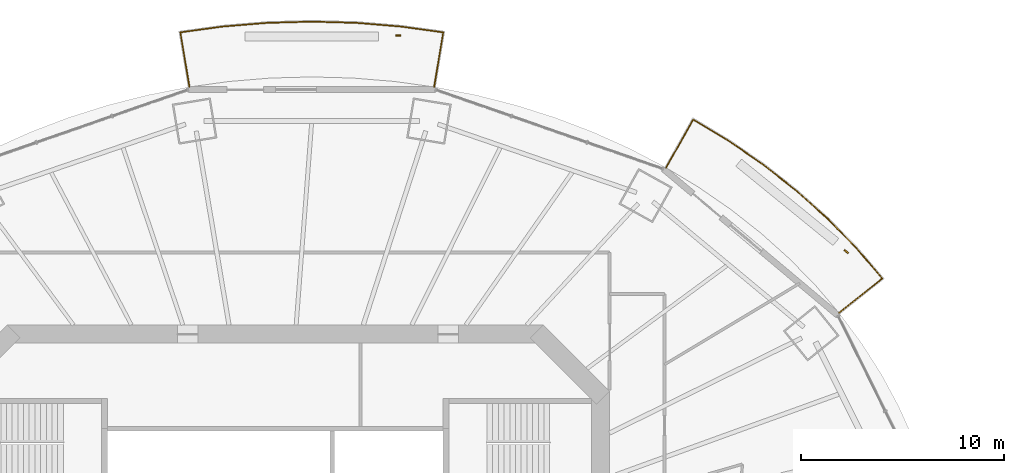
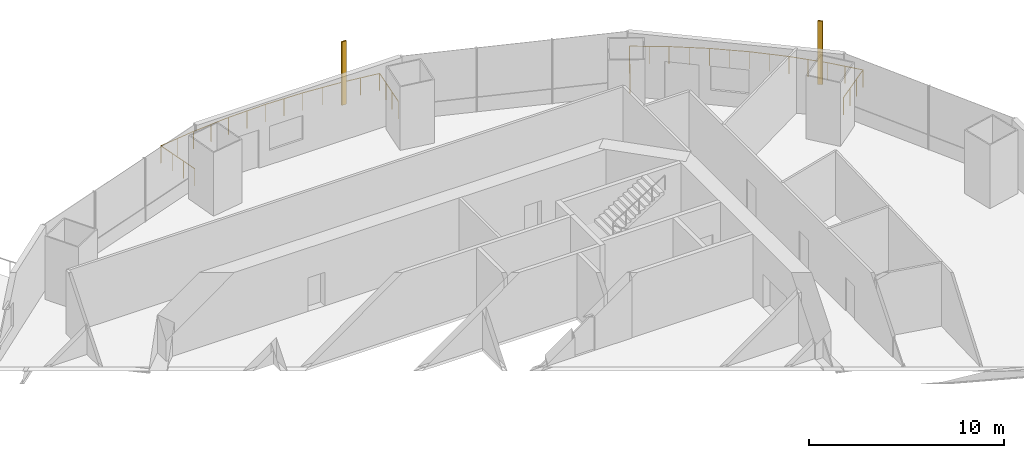
# One storey, part 18 of 20: 2 railings, 2 shading devices.
"""IFC4 building model written with IfcOpenShell, lengths in metres."""

import ifcopenshell
import ifcopenshell.guid

model = None  # the IFC model being written
_history = None  # IfcOwnerHistory: only IFC2X3 demands one
_inside = {}  # id of a spatial element -> (the spatial element, [elements in it])
_under = {}  # id of a project, library or spatial element -> (it, [spatial elements below it])
_declared = {}  # id of a project -> (the project, [libraries it declares])
_typed = {}  # id of a type object -> (the type object, [elements of that type])
_made_of = {}  # id of a material, layer set ... -> (it, [elements and type objects made of it])


def new_model(schema):
    """Start an empty IFC model of exactly this schema.

    Asked for "IFC4X3", IfcOpenShell would pick the latest addendum, in which some entities
    have other attributes; the version numbers below select the first issue.
    IFC2X3 requires an IfcOwnerHistory on every rooted entity: one is made here for all.
    """
    global model, _history
    if schema == "IFC4X3":
        model = ifcopenshell.file(schema_version=(4, 3, 0, 0))
    else:
        model = ifcopenshell.file(schema=schema)
    _inside.clear()
    _under.clear()
    _declared.clear()
    _typed.clear()
    _made_of.clear()
    _history = None
    if model.schema == "IFC2X3":
        org = make("IfcOrganization", Name="unknown")
        user = make(
            "IfcPersonAndOrganization",
            ThePerson=make("IfcPerson", FamilyName="unknown"),
            TheOrganization=org,
        )
        app = make(
            "IfcApplication",
            ApplicationDeveloper=org,
            Version="unknown",
            ApplicationFullName="unknown",
            ApplicationIdentifier="unknown",
        )
        _history = make(
            "IfcOwnerHistory",
            OwningUser=user,
            OwningApplication=app,
            ChangeAction="ADDED",
            CreationDate=0,
        )
    return model


def make(cls, **values):
    """One entity of the class cls with the attributes given. An attribute that is None is left unset."""
    return model.create_entity(
        cls, **{name: value for name, value in values.items() if value is not None}
    )


def rooted(cls, **values):
    """An entity with a GlobalId (a new one), such as an element, a storey or a relation."""
    return make(cls, GlobalId=ifcopenshell.guid.new(), OwnerHistory=_history, **values)


def si_unit(unit_type, name, prefix=None):
    """IfcSIUnit, for example si_unit("LENGTHUNIT", "METRE", prefix="MILLI")."""
    return make("IfcSIUnit", UnitType=unit_type, Prefix=prefix, Name=name)


def assignment(units):
    """IfcUnitAssignment: the units of a project."""
    return None if units is None else make("IfcUnitAssignment", Units=units)


def point(xyz):
    """IfcCartesianPoint."""
    return None if xyz is None else make("IfcCartesianPoint", Coordinates=xyz)


def direction(xyz):
    """IfcDirection."""
    return None if xyz is None else make("IfcDirection", DirectionRatios=xyz)


def frame(location, z_axis=None, x_axis=None):
    """IfcAxis2Placement3D, a coordinate frame: its origin and axes. An axis left out is left unset."""
    return make(
        "IfcAxis2Placement3D",
        Location=point(location),
        Axis=direction(z_axis),
        RefDirection=direction(x_axis),
    )


def frame_2d(location, x_axis=None):
    """IfcAxis2Placement2D, a coordinate frame in the plane: its origin and x axis."""
    return make(
        "IfcAxis2Placement2D", Location=point(location), RefDirection=direction(x_axis)
    )


def origin():
    """The frame at (0, 0, 0) with its axes left unset."""
    return frame((0.0, 0.0, 0.0))


def origin_2d():
    """The frame at (0, 0) in the plane with its x axis left unset."""
    return frame_2d((0.0, 0.0))


def place(relative_to, where):
    """IfcLocalPlacement: puts the frame where relative to a parent placement (None: the world)."""
    return make(
        "IfcLocalPlacement", PlacementRelTo=relative_to, RelativePlacement=where
    )


def context(
    kind, dimensions, precision=None, world=None, true_north=None, identifier=None
):
    """IfcGeometricRepresentationContext, for example the 3D "Model" context."""
    return make(
        "IfcGeometricRepresentationContext",
        ContextIdentifier=identifier,
        ContextType=kind,
        CoordinateSpaceDimension=dimensions,
        Precision=precision,
        WorldCoordinateSystem=world,
        TrueNorth=true_north,
    )


def subcontext(parent, identifier, kind, view, scale=None):
    """IfcGeometricRepresentationSubContext, for example "Body" below "Model"."""
    return make(
        "IfcGeometricRepresentationSubContext",
        ContextIdentifier=identifier,
        ContextType=kind,
        ParentContext=parent,
        TargetScale=scale,
        TargetView=view,
    )


def project(units=None, contexts=None):
    """IfcProject with its units and contexts."""
    return rooted(
        "IfcProject",
        Name="project",
        RepresentationContexts=contexts,
        UnitsInContext=assignment(units),
    )


def spatial(cls, under=None, at=None, **own):
    """A site, building, storey or space (cls), placed at a placement, below another one or the project."""
    s = rooted(cls, ObjectPlacement=at, **own)
    if under is not None:
        _under.setdefault(under.id(), (under, []))[1].append(s)
    return s


def profile(cls, at=None, kind="AREA", **sizes):
    """A parametric profile (cls). Its sizes go by their IFC names, for example OverallWidth=200.0."""
    return make(cls, ProfileType=kind, Position=at, **sizes)


def rectangle(**sizes):
    """IfcRectangleProfileDef."""
    return profile("IfcRectangleProfileDef", **sizes)


def circle(**sizes):
    """IfcCircleProfileDef."""
    return profile("IfcCircleProfileDef", **sizes)


def extrude(swept, where, along, depth):
    """IfcExtrudedAreaSolid: the profile swept, set in the frame where, extruded along a direction by depth."""
    return make(
        "IfcExtrudedAreaSolid",
        SweptArea=swept,
        Position=where,
        ExtrudedDirection=direction(along),
        Depth=depth,
    )


def shape(context_of_items, identifier, shape_type, items):
    """IfcShapeRepresentation: the items that make up one representation, for example the "Body"."""
    return make(
        "IfcShapeRepresentation",
        ContextOfItems=context_of_items,
        RepresentationIdentifier=identifier,
        RepresentationType=shape_type,
        Items=items,
    )


def material(Name=None, Category=None):
    """IfcMaterial."""
    return make("IfcMaterial", Name=Name, Category=Category)


def material_profile(
    of_material, cross_section, Name=None, Category=None, Priority=None
):
    """IfcMaterialProfile: a cross section and its material."""
    return make(
        "IfcMaterialProfile",
        Name=Name,
        Material=of_material,
        Profile=cross_section,
        Priority=Priority,
        Category=Category,
    )


def profile_set(profiles, Name=None, composite=None):
    """IfcMaterialProfileSet."""
    return make(
        "IfcMaterialProfileSet",
        Name=Name,
        MaterialProfiles=profiles,
        CompositeProfile=composite,
    )


def made_of(thing, what):
    """Note that an element or type object is made of a material, layer set ...; save() writes the relation."""
    if what is not None:
        _made_of.setdefault(what.id(), (what, []))[1].append(thing)
    return thing


def type_object(cls, material=None, **own):
    """A type object (cls), such as IfcWallType, which elements share."""
    return made_of(rooted(cls, **own), material)


def element(
    cls,
    number,
    at=None,
    inside=None,
    cuts=None,
    type_object=None,
    material=None,
    context=None,
    identifier="Body",
    shape_type=None,
    held_by="IfcProductDefinitionShape",
    body=None,
    shapes=None,
    **own,
):
    """One element of the class cls, such as IfcWall. Its Tag is "e" and its number.

    at: its placement. inside: the storey or other place that contains it. cuts: it is an
    opening in that element (IfcRelVoidsElement). A single representation is given by context,
    identifier, shape_type and body (its items); several are given by shapes. held_by: the class
    of the entity that holds the representations. save() writes the other relations.
    """
    e = rooted(cls, Tag="e%d" % number, ObjectPlacement=at, **own)
    if body is not None:
        shapes = [shape(context, identifier, shape_type, body)]
    if shapes is not None:
        e.Representation = make(held_by, Representations=shapes)
    if inside is not None:
        _inside.setdefault(inside.id(), (inside, []))[1].append(e)
    if cuts is not None:
        rooted(
            "IfcRelVoidsElement", RelatingBuildingElement=cuts, RelatedOpeningElement=e
        )
    if type_object is not None:
        _typed.setdefault(type_object.id(), (type_object, []))[1].append(e)
    return made_of(e, material)


def aggregate(whole, parts):
    """IfcRelAggregates: a whole, such as a stair, and the parts it consists of."""
    return rooted("IfcRelAggregates", RelatingObject=whole, RelatedObjects=parts)


def save(model, path):
    """Write the relations noted so far, then the file.

    IfcRelAggregates (storeys below a building ...), IfcRelContainedInSpatialStructure (elements
    in a storey), IfcRelDefinesByType, IfcRelAssociatesMaterial and IfcRelDeclares: one each for
    every whole, place, type object, material and project.
    """
    for whole, parts in _under.values():
        aggregate(whole, parts)
    for where, things in _inside.values():
        rooted(
            "IfcRelContainedInSpatialStructure",
            RelatedElements=things,
            RelatingStructure=where,
        )
    for kind, things in _typed.values():
        rooted("IfcRelDefinesByType", RelatedObjects=things, RelatingType=kind)
    for what, things in _made_of.values():
        rooted("IfcRelAssociatesMaterial", RelatedObjects=things, RelatingMaterial=what)
    for by, libraries in _declared.values():
        rooted("IfcRelDeclares", RelatingContext=by, RelatedDefinitions=libraries)
    model.write(path)


model = new_model("IFC4")

# Units and contexts
model_context = context("Model", 3, precision=1e-05, world=origin(), true_north=direction((0.0, 1.0)))
body_context = subcontext(model_context, "Body", "Model", "MODEL_VIEW")
ifc_project = project(units=[si_unit("LENGTHUNIT", "METRE"), si_unit("AREAUNIT", "SQUARE_METRE"), si_unit("VOLUMEUNIT", "CUBIC_METRE"), si_unit("PLANEANGLEUNIT", "RADIAN"), si_unit("MASSUNIT", "GRAM", prefix="KILO")], contexts=[model_context])

# Site, building, storey
site_placement = place(None, origin())
site = spatial("IfcSite", under=ifc_project, at=site_placement, CompositionType="ELEMENT")
building_placement = place(site_placement, origin())
building = spatial("IfcBuilding", under=site, at=building_placement, Name="Marenthal Gate Tower", CompositionType="ELEMENT")
storey_placement = place(building_placement, frame((0.0, 0.0, 210.85009765625)))
storey = spatial("IfcBuildingStorey", under=building, at=storey_placement, Name="L46", CompositionType="ELEMENT", Elevation=210.85009765625)

# Railings
ifc_material_1 = material(Name="Stainless steel", Category="steel")
railing_type = type_object("IfcRailingType", Name="Balcony guard 1100", PredefinedType="GUARDRAIL", material=ifc_material_1)
railing_1_placement = place(storey_placement, frame((19.2314453125, 21.18701171875, 0.0)))
element("IfcRailing", 1, at=railing_1_placement, inside=storey, type_object=railing_type, Name="Balcony guard L46 bay 2", PredefinedType="GUARDRAIL", context=body_context, shape_type="SweptSolid", body=[
    extrude(circle(Radius=0.02392578125, at=origin_2d()), frame((0.0, 0.0, 1.076171875), z_axis=(0.489692426364, 0.871770992902, -0.014719493754), x_axis=(-0.871865448727, 0.489745484223, 0.0)), (0.0, 0.0, 1.0), 2.72021484375),
    extrude(circle(Radius=0.02392578125, at=origin_2d()), frame((1.33203125, 2.371337890625, 1.0361328125), z_axis=(0.856139874466, -0.51674414883, 0.0), x_axis=(0.51674414883, 0.856139874466, 0.0)), (0.0, 0.0, 1.0), 2.0263671875),
    extrude(circle(Radius=0.02392578125, at=origin_2d()), frame((3.06689453125, 1.32421875, 1.0361328125), z_axis=(0.823267382134, -0.56765378314, 0.0), x_axis=(0.56765378314, 0.823267382134, 0.0)), (0.0, 0.0, 1.0), 2.08984375),
    extrude(circle(Radius=0.02392578125, at=origin_2d()), frame((4.787353515625, 0.137939453125, 1.0361328125), z_axis=(0.785888916209, -0.618367699173, 0.0), x_axis=(0.618367699173, 0.785888916209, 0.0)), (0.0, 0.0, 1.0), 2.072265625),
    extrude(circle(Radius=0.02392578125, at=origin_2d()), frame((6.416015625, -1.1435546875, 1.0361328125), z_axis=(0.744433020663, -0.667697145229, 0.0), x_axis=(0.667697145229, 0.744433020663, 0.0)), (0.0, 0.0, 1.0), 2.05517578125),
    extrude(circle(Radius=0.02392578125, at=origin_2d()), frame((7.946044921875, -2.515869140625, 1.0361328125), z_axis=(0.698790859337, -0.715326033992, 0.0), x_axis=(0.715326033992, 0.698790859337, 0.0)), (0.0, 0.0, 1.0), 2.03759765625),
    extrude(circle(Radius=0.02392578125, at=origin_2d()), frame((9.369873046875, -3.973388671875, 1.0361328125), z_axis=(0.650003821806, -0.759930938729, 0.0), x_axis=(0.759930938729, 0.650003821806, 0.0)), (0.0, 0.0, 1.0), 1.941162109375),
    extrude(circle(Radius=0.02392578125, at=origin_2d()), frame((10.631591796875, -5.448486328125, 1.0361328125), z_axis=(-0.782820273023, -0.622073757432, 0.014719390596), x_axis=(0.622141157777, -0.782905089905, 0.0)), (0.0, 0.0, 1.0), 2.72021484375),
    extrude(circle(Radius=0.02099609375, at=origin_2d()), origin(), (0.0, 0.0, 1.0), 1.052001953125),
    extrude(circle(Radius=0.02099609375, at=origin_2d()), frame((0.444091796875, 0.79052734375, -0.013427734375)), (0.0, 0.0, 1.0), 1.052001953125),
    extrude(circle(Radius=0.02099609375, at=origin_2d()), frame((0.887939453125, 1.580810546875, -0.026611328125)), (0.0, 0.0, 1.0), 1.052001953125),
    extrude(circle(Radius=0.02099609375, at=origin_2d()), frame((1.33203125, 2.371337890625, -0.0400390625)), (0.0, 0.0, 1.0), 1.052001953125),
    extrude(circle(Radius=0.02099609375, at=origin_2d()), frame((2.199462890625, 1.84765625, -0.0400390625)), (0.0, 0.0, 1.0), 1.052001953125),
    extrude(circle(Radius=0.02099609375, at=origin_2d()), frame((3.06689453125, 1.32421875, -0.0400390625)), (0.0, 0.0, 1.0), 1.052001953125),
    extrude(circle(Radius=0.02099609375, at=origin_2d()), frame((3.92724609375, 0.73095703125, -0.0400390625)), (0.0, 0.0, 1.0), 1.052001953125),
    extrude(circle(Radius=0.02099609375, at=origin_2d()), frame((4.787353515625, 0.137939453125, -0.0400390625)), (0.0, 0.0, 1.0), 1.052001953125),
    extrude(circle(Radius=0.02099609375, at=origin_2d()), frame((5.6015625, -0.5029296875, -0.0400390625)), (0.0, 0.0, 1.0), 1.052001953125),
    extrude(circle(Radius=0.02099609375, at=origin_2d()), frame((6.416015625, -1.1435546875, -0.0400390625)), (0.0, 0.0, 1.0), 1.052001953125),
    extrude(circle(Radius=0.02099609375, at=origin_2d()), frame((7.18115234375, -1.82958984375, -0.0400390625)), (0.0, 0.0, 1.0), 1.052001953125),
    extrude(circle(Radius=0.02099609375, at=origin_2d()), frame((7.946044921875, -2.515869140625, -0.0400390625)), (0.0, 0.0, 1.0), 1.052001953125),
    extrude(circle(Radius=0.02099609375, at=origin_2d()), frame((8.657958984375, -3.24462890625, -0.0400390625)), (0.0, 0.0, 1.0), 1.052001953125),
    extrude(circle(Radius=0.02099609375, at=origin_2d()), frame((9.369873046875, -3.973388671875, -0.0400390625)), (0.0, 0.0, 1.0), 1.052001953125),
    extrude(circle(Radius=0.02099609375, at=origin_2d()), frame((10.000732421875, -4.7109375, -0.0400390625)), (0.0, 0.0, 1.0), 1.052001953125),
    extrude(circle(Radius=0.02099609375, at=origin_2d()), frame((10.631591796875, -5.448486328125, -0.0400390625)), (0.0, 0.0, 1.0), 1.052001953125),
    extrude(circle(Radius=0.02099609375, at=origin_2d()), frame((9.921875, -6.012451171875, -0.026611328125)), (0.0, 0.0, 1.0), 1.052001953125),
    extrude(circle(Radius=0.02099609375, at=origin_2d()), frame((9.2119140625, -6.57666015625, -0.013427734375)), (0.0, 0.0, 1.0), 1.052001953125),
    extrude(circle(Radius=0.02099609375, at=origin_2d()), frame((8.502197265625, -7.140625, 0.0)), (0.0, 0.0, 1.0), 1.052001953125),
])
railing_2_placement = place(storey_placement, frame((-4.2177734375, 25.15869140625, 0.0)))
element("IfcRailing", 2, at=railing_2_placement, inside=storey, type_object=railing_type, Name="Balcony guard L46 bay 4", PredefinedType="GUARDRAIL", context=body_context, shape_type="SweptSolid", body=[
    extrude(circle(Radius=0.02392578125, at=origin_2d()), frame((0.0, 0.0, 1.076171875), z_axis=(-0.16486141703, 0.98620691984, -0.01471816679), x_axis=(-0.986313755456, -0.164879276438, 0.0)), (0.0, 0.0, 1.0), 2.720458984375),
    extrude(circle(Radius=0.02392578125, at=origin_2d()), frame((-0.448486328125, 2.682861328125, 1.0361328125), z_axis=(0.990663789329, 0.136327754009, 0.0), x_axis=(-0.136327754009, 0.990663789329, 0.0)), (0.0, 0.0, 1.0), 2.10791015625),
    extrude(circle(Radius=0.02392578125, at=origin_2d()), frame((1.6396484375, 2.97021484375, 1.0361328125), z_axis=(0.99659779292, 0.082418682025, 0.0), x_axis=(-0.082418682025, 0.99659779292, 0.0)), (0.0, 0.0, 1.0), 2.192138671875),
    extrude(circle(Radius=0.02392578125, at=origin_2d()), frame((3.82421875, 3.15087890625, 1.0361328125), z_axis=(0.999619294509, 0.027591050088, 0.0), x_axis=(-0.027591050088, 0.999619294509, 0.0)), (0.0, 0.0, 1.0), 2.1943359375),
    extrude(circle(Radius=0.02392578125, at=origin_2d()), frame((6.017822265625, 3.21142578125, 1.0361328125), z_axis=(0.999619209801, -0.027594118881, 0.0), x_axis=(0.027594118881, 0.999619209801, 0.0)), (0.0, 0.0, 1.0), 2.194091796875),
    extrude(circle(Radius=0.02392578125, at=origin_2d()), frame((8.211181640625, 3.15087890625, 1.0361328125), z_axis=(0.996598549357, -0.082409534755, 0.0), x_axis=(0.082409534755, 0.996598549357, 0.0)), (0.0, 0.0, 1.0), 2.1923828125),
    extrude(circle(Radius=0.02392578125, at=origin_2d()), frame((10.39599609375, 2.97021484375, 1.0361328125), z_axis=(0.990663789329, -0.136327754009, 0.0), x_axis=(0.136327754009, 0.990663789329, 0.0)), (0.0, 0.0, 1.0), 2.10791015625),
    extrude(circle(Radius=0.02392578125, at=origin_2d()), frame((12.484130859375, 2.682861328125, 1.0361328125), z_axis=(-0.164948720809, -0.986192324793, 0.014717948973), x_axis=(0.986299155665, -0.164966589145, 0.0)), (0.0, 0.0, 1.0), 2.720458984375),
    extrude(circle(Radius=0.02099609375, at=origin_2d()), origin(), (0.0, 0.0, 1.0), 1.052001953125),
    extrude(circle(Radius=0.02099609375, at=origin_2d()), frame((-0.1494140625, 0.894287109375, -0.013427734375)), (0.0, 0.0, 1.0), 1.052001953125),
    extrude(circle(Radius=0.02099609375, at=origin_2d()), frame((-0.299072265625, 1.78857421875, -0.026611328125)), (0.0, 0.0, 1.0), 1.052001953125),
    extrude(circle(Radius=0.02099609375, at=origin_2d()), frame((-0.448486328125, 2.682861328125, -0.0400390625)), (0.0, 0.0, 1.0), 1.052001953125),
    extrude(circle(Radius=0.02099609375, at=origin_2d()), frame((0.595703125, 2.82666015625, -0.0400390625)), (0.0, 0.0, 1.0), 1.052001953125),
    extrude(circle(Radius=0.02099609375, at=origin_2d()), frame((1.6396484375, 2.97021484375, -0.0400390625)), (0.0, 0.0, 1.0), 1.052001953125),
    extrude(circle(Radius=0.02099609375, at=origin_2d()), frame((2.73193359375, 3.060546875, -0.0400390625)), (0.0, 0.0, 1.0), 1.052001953125),
    extrude(circle(Radius=0.02099609375, at=origin_2d()), frame((3.82421875, 3.15087890625, -0.0400390625)), (0.0, 0.0, 1.0), 1.052001953125),
    extrude(circle(Radius=0.02099609375, at=origin_2d()), frame((4.9208984375, 3.18115234375, -0.0400390625)), (0.0, 0.0, 1.0), 1.052001953125),
    extrude(circle(Radius=0.02099609375, at=origin_2d()), frame((6.017822265625, 3.21142578125, -0.0400390625)), (0.0, 0.0, 1.0), 1.052001953125),
    extrude(circle(Radius=0.02099609375, at=origin_2d()), frame((7.114501953125, 3.18115234375, -0.0400390625)), (0.0, 0.0, 1.0), 1.052001953125),
    extrude(circle(Radius=0.02099609375, at=origin_2d()), frame((8.211181640625, 3.15087890625, -0.0400390625)), (0.0, 0.0, 1.0), 1.052001953125),
    extrude(circle(Radius=0.02099609375, at=origin_2d()), frame((9.3037109375, 3.060546875, -0.0400390625)), (0.0, 0.0, 1.0), 1.052001953125),
    extrude(circle(Radius=0.02099609375, at=origin_2d()), frame((10.39599609375, 2.97021484375, -0.0400390625)), (0.0, 0.0, 1.0), 1.052001953125),
    extrude(circle(Radius=0.02099609375, at=origin_2d()), frame((11.43994140625, 2.82666015625, -0.0400390625)), (0.0, 0.0, 1.0), 1.052001953125),
    extrude(circle(Radius=0.02099609375, at=origin_2d()), frame((12.484130859375, 2.682861328125, -0.0400390625)), (0.0, 0.0, 1.0), 1.052001953125),
    extrude(circle(Radius=0.02099609375, at=origin_2d()), frame((12.33447265625, 1.78857421875, -0.026611328125)), (0.0, 0.0, 1.0), 1.052001953125),
    extrude(circle(Radius=0.02099609375, at=origin_2d()), frame((12.18505859375, 0.894287109375, -0.013427734375)), (0.0, 0.0, 1.0), 1.052001953125),
    extrude(circle(Radius=0.02099609375, at=origin_2d()), frame((12.035400390625, 0.0, 0.0)), (0.0, 0.0, 1.0), 1.052001953125),
])

# Shading devices
ifc_material_2 = material(Name="Terracotta", Category="masonry")
ifc_material_profile = material_profile(ifc_material_2, rectangle(XDim=0.25, YDim=0.080078125, at=origin_2d()), Name="Terracotta baguette 250x80")
ifc_profile_set = profile_set([ifc_material_profile], Name="Terracotta")
shading_device_type = type_object("IfcShadingDeviceType", Name="Terracotta BAGUETTE SCREEN 250x80", PredefinedType="USERDEFINED", material=ifc_profile_set)
for number, where, z_axis, x_axis, name in (
    (3, (28.096923828125, 17.059814453125, -0.0400390625), (0.0, 0.0, 1.0), (-0.765627996549, 0.643283585131, 0.0), "Terracotta BAGUETTE L46 bay 2L"),
    (4, (6.05810546875, 27.695068359375, -0.0400390625), (0.0, 0.0, 1.0), (-1.0, 0.0, 0.0), "Terracotta BAGUETTE L46 bay 4L"),
):
    element("IfcShadingDevice", number, at=place(storey_placement, frame(where, z_axis=z_axis, x_axis=x_axis)), inside=storey, type_object=shading_device_type, Name=name, ObjectType="BAGUETTE SCREEN", PredefinedType="USERDEFINED", context=body_context, shape_type="SweptSolid", body=[
        extrude(rectangle(XDim=0.25, YDim=0.080078125, at=origin_2d()), origin(), (0.0, 0.0, 1.0), 3.969970703125),
    ])

save(model, "model.ifc")
